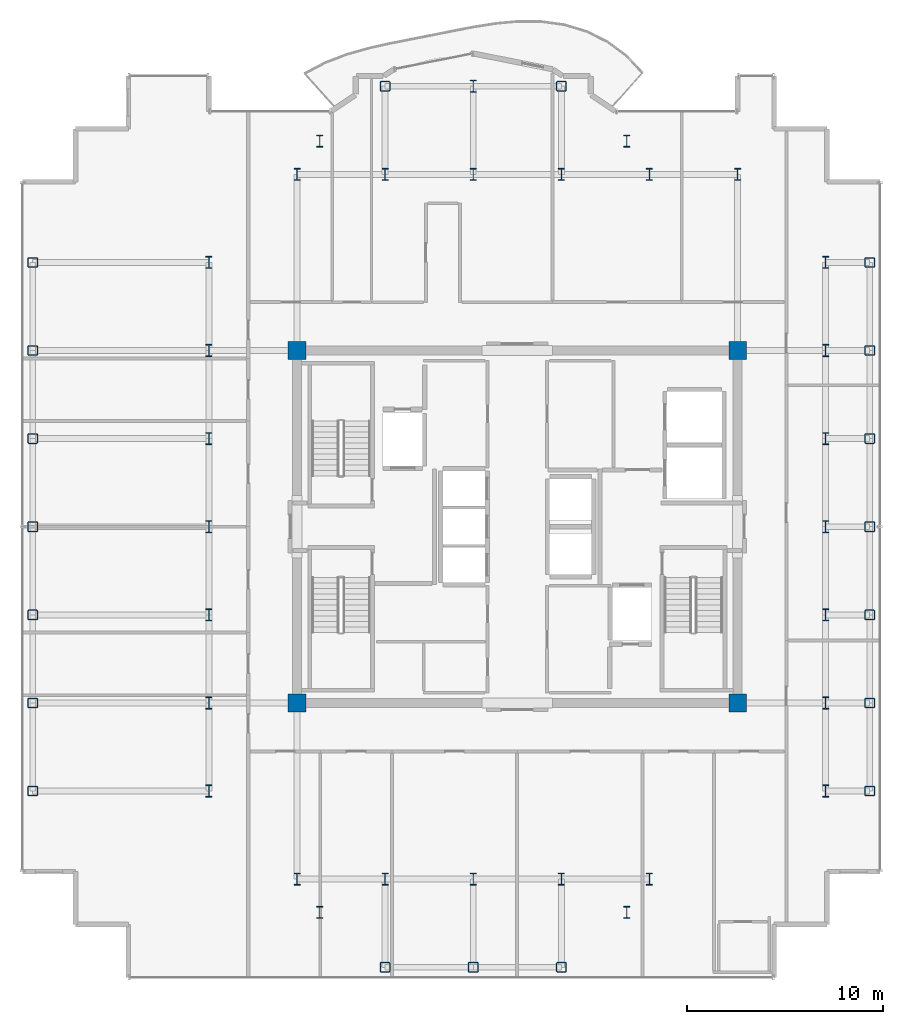
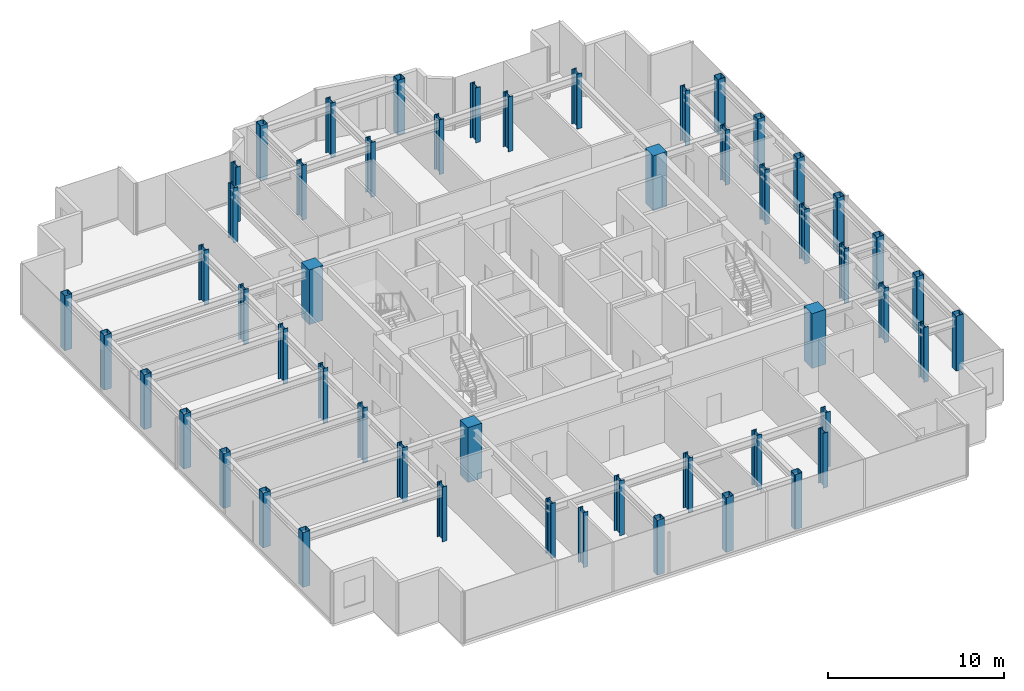
# One storey, part 1 of 18: 53 columns.
"""IFC4 building model written with IfcOpenShell, lengths in metres."""

from ifc_helpers import new_model, si_unit, direction, frame, origin, origin_2d, place, context, subcontext, project, spatial, rectangle, hollow_rectangle, i_section, extrude, source, transform, mapped, material, material_profile, profile_set, type_object, element, save


model = new_model("IFC4")

# Units and contexts
model_context = context("Model", 3, precision=1e-05, world=origin(), true_north=direction((0.0, 1.0)))
body_context = subcontext(model_context, "Body", "Model", "MODEL_VIEW")
ifc_project = project(units=[si_unit("LENGTHUNIT", "METRE"), si_unit("AREAUNIT", "SQUARE_METRE"), si_unit("VOLUMEUNIT", "CUBIC_METRE"), si_unit("PLANEANGLEUNIT", "RADIAN"), si_unit("MASSUNIT", "GRAM", prefix="KILO")], contexts=[model_context])

# Site, building, storey
site_placement = place(None, origin())
site = spatial("IfcSite", under=ifc_project, at=site_placement, CompositionType="ELEMENT")
building_placement = place(site_placement, origin())
building = spatial("IfcBuilding", under=site, at=building_placement, Name="Nefas-Gora Pilgrimage Tower", CompositionType="ELEMENT")
storey_placement = place(building_placement, frame((0.0, 0.0, 302.60009765625)))
storey = spatial("IfcBuildingStorey", under=building, at=storey_placement, Name="L76", CompositionType="ELEMENT", Elevation=302.60009765625)

# Columns
ifc_material_1 = material(Name="Steel S355", Category="steel")
ifc_material_profile_1 = material_profile(ifc_material_1, i_section(OverallWidth=0.304931640625, OverallDepth=0.6201171875, WebThickness=0.02099609375, FlangeThickness=0.0400390625, FilletRadius=0.027099609375, at=origin_2d()), Name="HEM 600")
ifc_profile_set_1 = profile_set([ifc_material_profile_1], Name="Steel S355")
column_type_1 = type_object("IfcColumnType", Name="COL-WEB-HEM600", PredefinedType="COLUMN", material=ifc_profile_set_1)
shared_shape_1 = source(origin(), body_context, "Body", "SweptSolid", [
    extrude(i_section(OverallWidth=0.304931640625, OverallDepth=0.6201171875, WebThickness=0.02099609375, FlangeThickness=0.0400390625, FilletRadius=0.027099609375, at=origin_2d()), origin(), (0.0, 0.0, 1.0), 3.7998046875),
])
for number, where, z_axis, x_axis, name in (
    (1, (-15.75, -13.5, 0.0), (0.0, 0.0, 1.0), (1.0, 0.0, 0.0), "L76 Tower Column CW-03.8"),
    (2, (-15.75, -9.0, 0.0), (0.0, 0.0, 1.0), (1.0, 0.0, 0.0), "L76 Tower Column CW-03.9"),
    (3, (-15.75, -4.5, 0.0), (0.0, 0.0, 1.0), (1.0, 0.0, 0.0), "L76 Tower Column CW-03.10"),
    (4, (-15.75, 0.0, 0.0), (0.0, 0.0, 1.0), (1.0, 0.0, 0.0), "L76 Tower Column CW-03.11"),
    (5, (-15.75, 4.5, 0.0), (0.0, 0.0, 1.0), (1.0, 0.0, 0.0), "L76 Tower Column CW-03.12"),
    (6, (-15.75, 9.0, 0.0), (0.0, 0.0, 1.0), (1.0, 0.0, 0.0), "L76 Tower Column CW-03.13"),
    (7, (-15.75, 13.5, 0.0), (0.0, 0.0, 1.0), (1.0, 0.0, 0.0), "L76 Tower Column CW-03.14"),
    (8, (-11.25, -18.0, 0.0), (0.0, 0.0, 1.0), (1.0, 0.0, 0.0), "L76 Tower Column CW-03.15"),
    (9, (-11.25, 18.0, 0.0), (0.0, 0.0, 1.0), (1.0, 0.0, 0.0), "L76 Tower Column CW-03.18"),
    (10, (-10.091064453125, -19.696044921875, 0.0), (0.0, 0.0, 1.0), (1.0, 0.0, 0.0), "L76 Tower Column CW-03.19"),
    (11, (-10.091064453125, 19.696044921875, 0.0), (0.0, 0.0, 1.0), (1.0, 0.0, 0.0), "L76 Tower Column CW-03.20"),
    (12, (-6.75, -18.0, 0.0), (0.0, 0.0, 1.0), (1.0, 0.0, 0.0), "L76 Tower Column CW-03.22"),
    (13, (-6.75, 18.0, 0.0), (0.0, 0.0, 1.0), (1.0, 0.0, 0.0), "L76 Tower Column CW-03.23"),
    (14, (-2.25, -18.0, 0.0), (0.0, 0.0, 1.0), (1.0, 0.0, 0.0), "L76 Tower Column CW-03.26"),
    (15, (-2.25, 18.0, 0.0), (0.0, 0.0, 1.0), (1.0, 0.0, 0.0), "L76 Tower Column CW-03.27"),
    (16, (-2.25, 22.5, 0.0), (0.0, 0.0, 1.0), (1.0, 0.0, 0.0), "L76 Tower Column CW-03.28"),
    (17, (2.25, -18.0, 0.0), (0.0, 0.0, 1.0), (1.0, 0.0, 0.0), "L76 Tower Column CW-03.30"),
    (18, (2.25, 18.0, 0.0), (0.0, 0.0, 1.0), (1.0, 0.0, 0.0), "L76 Tower Column CW-03.31"),
    (19, (5.591064453125, -19.696044921875, 0.0), (0.0, 0.0, 1.0), (1.0, 0.0, 0.0), "L76 Tower Column CW-03.33"),
    (20, (5.591064453125, 19.696044921875, 0.0), (0.0, 0.0, 1.0), (1.0, 0.0, 0.0), "L76 Tower Column CW-03.34"),
    (21, (6.75, -18.0, 0.0), (0.0, 0.0, 1.0), (1.0, 0.0, 0.0), "L76 Tower Column CW-03.35"),
    (22, (6.75, 18.0, 0.0), (0.0, 0.0, 1.0), (1.0, 0.0, 0.0), "L76 Tower Column CW-03.36"),
    (23, (11.25, 18.0, 0.0), (0.0, 0.0, 1.0), (1.0, 0.0, 0.0), "L76 Tower Column CW-03.39"),
    (24, (15.75, -13.5, 0.0), (0.0, 0.0, 1.0), (1.0, 0.0, 0.0), "L76 Tower Column CW-03.40"),
    (25, (15.75, -9.0, 0.0), (0.0, 0.0, 1.0), (1.0, 0.0, 0.0), "L76 Tower Column CW-03.41"),
    (26, (15.75, -4.5, 0.0), (0.0, 0.0, 1.0), (1.0, 0.0, 0.0), "L76 Tower Column CW-03.42"),
    (27, (15.75, 0.0, 0.0), (0.0, 0.0, 1.0), (1.0, 0.0, 0.0), "L76 Tower Column CW-03.43"),
    (28, (15.75, 4.5, 0.0), (0.0, 0.0, 1.0), (1.0, 0.0, 0.0), "L76 Tower Column CW-03.44"),
    (29, (15.75, 9.0, 0.0), (0.0, 0.0, 1.0), (1.0, 0.0, 0.0), "L76 Tower Column CW-03.45"),
    (30, (15.75, 13.5, 0.0), (0.0, 0.0, 1.0), (1.0, 0.0, 0.0), "L76 Tower Column CW-03.46"),
):
    element("IfcColumn", number, at=place(storey_placement, frame(where, z_axis=z_axis, x_axis=x_axis)), inside=storey, type_object=column_type_1, Name=name, PredefinedType="COLUMN", context=body_context, shape_type="MappedRepresentation", body=[
        mapped(shared_shape_1, transform((0.0, 0.0, 0.0), x_axis=(1.0, 0.0, 0.0), y_axis=(0.0, 1.0, 0.0), z_axis=(0.0, 0.0, 1.0), scale=1.0)),
    ])
ifc_material_profile_2 = material_profile(ifc_material_1, hollow_rectangle(XDim=0.5, YDim=0.5, WallThickness=0.02490234375, InnerFilletRadius=0.02490234375, OuterFilletRadius=0.050048828125, at=origin_2d()), Name="SHS 500x500x25")
ifc_profile_set_2 = profile_set([ifc_material_profile_2], Name="Steel S355")
column_type_2 = type_object("IfcColumnType", Name="COL-TUBE-500", PredefinedType="COLUMN", material=ifc_profile_set_2)
shared_shape_2 = source(origin(), body_context, "Body", "SweptSolid", [
    extrude(hollow_rectangle(XDim=0.5, YDim=0.5, WallThickness=0.02490234375, InnerFilletRadius=0.02490234375, OuterFilletRadius=0.050048828125, at=origin_2d()), origin(), (0.0, 0.0, 1.0), 3.7998046875),
])
for number, where, z_axis, x_axis, name in (
    (31, (-24.75, -13.5, 0.0), (0.0, 0.0, 1.0), (1.0, 0.0, 0.0), "L76 Tower Column C-Z4.1"),
    (32, (-24.75, -9.0, 0.0), (0.0, 0.0, 1.0), (1.0, 0.0, 0.0), "L76 Tower Column C-Z4.2"),
    (33, (-24.75, -4.5, 0.0), (0.0, 0.0, 1.0), (1.0, 0.0, 0.0), "L76 Tower Column C-Z4.3"),
    (34, (-24.75, 0.0, 0.0), (0.0, 0.0, 1.0), (1.0, 0.0, 0.0), "L76 Tower Column C-Z4.4"),
    (35, (-24.75, 4.5, 0.0), (0.0, 0.0, 1.0), (1.0, 0.0, 0.0), "L76 Tower Column C-Z4.5"),
    (36, (-24.75, 9.0, 0.0), (0.0, 0.0, 1.0), (1.0, 0.0, 0.0), "L76 Tower Column C-Z4.6"),
    (37, (-24.75, 13.5, 0.0), (0.0, 0.0, 1.0), (1.0, 0.0, 0.0), "L76 Tower Column C-Z4.7"),
    (38, (-6.75, -22.5, 0.0), (0.0, 0.0, 1.0), (1.0, 0.0, 0.0), "L76 Tower Column C-Z4.21"),
    (39, (-6.75, 22.5, 0.0), (0.0, 0.0, 1.0), (1.0, 0.0, 0.0), "L76 Tower Column C-Z4.24"),
    (40, (-2.25, -22.5, 0.0), (0.0, 0.0, 1.0), (1.0, 0.0, 0.0), "L76 Tower Column C-Z4.25"),
    (41, (2.25, -22.5, 0.0), (0.0, 0.0, 1.0), (1.0, 0.0, 0.0), "L76 Tower Column C-Z4.29"),
    (42, (2.25, 22.5, 0.0), (0.0, 0.0, 1.0), (1.0, 0.0, 0.0), "L76 Tower Column C-Z4.32"),
    (43, (18.0, -13.5, 0.0), (0.0, 0.0, 1.0), (1.0, 0.0, 0.0), "L76 Tower Column C-Z4.47"),
    (44, (18.0, -9.0, 0.0), (0.0, 0.0, 1.0), (1.0, 0.0, 0.0), "L76 Tower Column C-Z4.48"),
    (45, (18.0, -4.5, 0.0), (0.0, 0.0, 1.0), (1.0, 0.0, 0.0), "L76 Tower Column C-Z4.49"),
    (46, (18.0, 0.0, 0.0), (0.0, 0.0, 1.0), (1.0, 0.0, 0.0), "L76 Tower Column C-Z4.50"),
    (47, (18.0, 4.5, 0.0), (0.0, 0.0, 1.0), (1.0, 0.0, 0.0), "L76 Tower Column C-Z4.51"),
    (48, (18.0, 9.0, 0.0), (0.0, 0.0, 1.0), (1.0, 0.0, 0.0), "L76 Tower Column C-Z4.52"),
    (49, (18.0, 13.5, 0.0), (0.0, 0.0, 1.0), (1.0, 0.0, 0.0), "L76 Tower Column C-Z4.53"),
):
    element("IfcColumn", number, at=place(storey_placement, frame(where, z_axis=z_axis, x_axis=x_axis)), inside=storey, type_object=column_type_2, Name=name, PredefinedType="COLUMN", context=body_context, shape_type="MappedRepresentation", body=[
        mapped(shared_shape_2, transform((0.0, 0.0, 0.0), x_axis=(1.0, 0.0, 0.0), y_axis=(0.0, 1.0, 0.0), z_axis=(0.0, 0.0, 1.0), scale=1.0)),
    ])
ifc_material_2 = material(Name="Concrete C50/60", Category="concrete")
ifc_material_profile_3 = material_profile(ifc_material_2, rectangle(XDim=0.89990234375, YDim=0.89990234375, at=origin_2d()), Name="RC 900x900")
ifc_profile_set_3 = profile_set([ifc_material_profile_3], Name="Concrete C50/60")
column_type_3 = type_object("IfcColumnType", Name="COL-RC-900", PredefinedType="COLUMN", material=ifc_profile_set_3)
shared_shape_3 = source(origin(), body_context, "Body", "SweptSolid", [
    extrude(rectangle(XDim=0.89990234375, YDim=0.89990234375, at=origin_2d()), origin(), (0.0, 0.0, 1.0), 3.7998046875),
])
for number, where, z_axis, x_axis, name in (
    (50, (-11.25, -9.0, 0.0), (0.0, 0.0, 1.0), (1.0, 0.0, 0.0), "L76 Tower Column CRC-02.16"),
    (51, (-11.25, 9.0, 0.0), (0.0, 0.0, 1.0), (1.0, 0.0, 0.0), "L76 Tower Column CRC-02.17"),
    (52, (11.25, -9.0, 0.0), (0.0, 0.0, 1.0), (1.0, 0.0, 0.0), "L76 Tower Column CRC-02.37"),
    (53, (11.25, 9.0, 0.0), (0.0, 0.0, 1.0), (1.0, 0.0, 0.0), "L76 Tower Column CRC-02.38"),
):
    element("IfcColumn", number, at=place(storey_placement, frame(where, z_axis=z_axis, x_axis=x_axis)), inside=storey, type_object=column_type_3, Name=name, PredefinedType="COLUMN", context=body_context, shape_type="MappedRepresentation", body=[
        mapped(shared_shape_3, transform((0.0, 0.0, 0.0), x_axis=(1.0, 0.0, 0.0), y_axis=(0.0, 1.0, 0.0), z_axis=(0.0, 0.0, 1.0), scale=1.0)),
    ])

save(model, "model.ifc")
